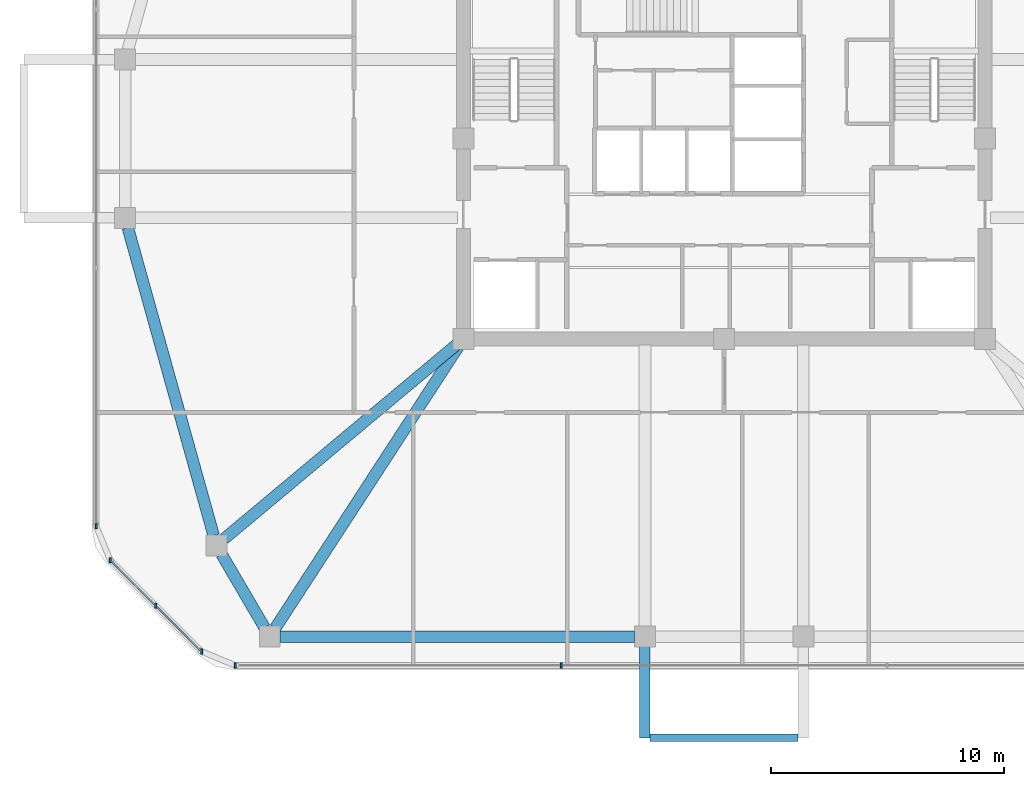
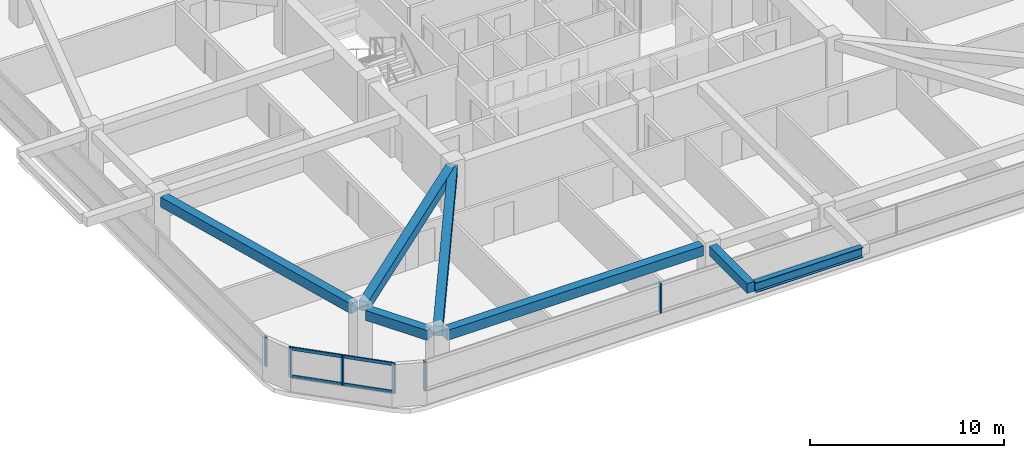
# One storey, part 2 of 14: 8 members, 7 beams, 3 elements without a shape of their own.
"""IFC4 building model written with IfcOpenShell, lengths in metres."""

from ifc_helpers import new_model, si_unit, derived_unit, direction, frame, origin, origin_2d, place, context, subcontext, project, spatial, rectangle, i_section, extrude, material, material_profile, profile_set, type_object, element, aggregate, save


model = new_model("IFC4")

# Units and contexts
model_context = context("Model", 3, precision=1e-05, world=origin(), true_north=direction((0.0, 1.0)))
body_context = subcontext(model_context, "Body", "Model", "MODEL_VIEW")
ifc_project = project(units=[si_unit("LENGTHUNIT", "METRE"), si_unit("AREAUNIT", "SQUARE_METRE"), si_unit("VOLUMEUNIT", "CUBIC_METRE"), si_unit("PLANEANGLEUNIT", "RADIAN"), si_unit("MASSUNIT", "GRAM", prefix="KILO"), derived_unit("THERMALTRANSMITTANCEUNIT", [(si_unit("POWERUNIT", "WATT"), 1), (si_unit("LENGTHUNIT", "METRE"), -2), (si_unit("THERMODYNAMICTEMPERATUREUNIT", "KELVIN"), -1)])], contexts=[model_context])

# Site, building, storey
site_placement = place(None, origin())
site = spatial("IfcSite", under=ifc_project, at=site_placement, CompositionType="ELEMENT")
building_placement = place(site_placement, origin())
building = spatial("IfcBuilding", under=site, at=building_placement, Name="Koralith Skygarden Medical Center", CompositionType="ELEMENT")
storey_placement = place(building_placement, frame((0.0, 0.0, 225.179931640625)))
storey = spatial("IfcBuildingStorey", under=building, at=storey_placement, Name="L58", CompositionType="ELEMENT", Elevation=225.179931640625)

# Curtain wall, members
ifc_material_1 = material(Name="Clear Laminated Glass", Category="glass")
curtain_wall_type = type_object("IfcCurtainWallType", Name="CW-5 Zone 4 Flare Biophilic Curtain Wall", PredefinedType="NOTDEFINED", material=ifc_material_1)
curtain_wall_1_placement = place(storey_placement, origin())
curtain_wall_1 = element("IfcCurtainWall", 1, at=curtain_wall_1_placement, inside=storey, type_object=curtain_wall_type, Name="Curtain Wall CW-L58-S", PredefinedType="NOTDEFINED")
ifc_material_2 = material(Name="Aluminium 6063-T6", Category="aluminium")
ifc_material_profile_1 = material_profile(ifc_material_2, rectangle(XDim=0.080078125, YDim=0.219970703125, at=origin_2d()), Name="MUL80X220")
ifc_profile_set_1 = profile_set([ifc_material_profile_1], Name="Aluminium 6063-T6")
member_type_1 = type_object("IfcMemberType", Name="CW-5 Extruded Mullion 80x220", PredefinedType="MULLION", material=ifc_profile_set_1)
member_1_placement = place(storey_placement, frame((16.012939453125, 3.280029296875, 0.85009765625), z_axis=(0.0, 0.0, 1.0), x_axis=(1.0, 0.0, 0.0)))
member_1 = element("IfcMember", 2, at=member_1_placement, type_object=member_type_1, Name="CW-L58-S Mullion 1", PredefinedType="MULLION", context=body_context, shape_type="SweptSolid", body=[
    extrude(rectangle(XDim=0.080078125, YDim=0.219970703125, at=origin_2d()), origin(), (0.0, 0.0, 1.0), 1.840087890625),
])
member_2_placement = place(storey_placement, frame((30.00390625, 3.280029296875, 0.85009765625), z_axis=(0.0, 0.0, 1.0), x_axis=(1.0, 0.0, 0.0)))
member_2 = element("IfcMember", 3, at=member_2_placement, type_object=member_type_1, Name="CW-L58-S Mullion 2", PredefinedType="MULLION", context=body_context, shape_type="SweptSolid", body=[
    extrude(rectangle(XDim=0.080078125, YDim=0.219970703125, at=origin_2d()), origin(), (0.0, 0.0, 1.0), 1.840087890625),
])
aggregate(curtain_wall_1, [member_1, member_2])

# Curtain wall, member
curtain_wall_2_placement = place(storey_placement, origin())
curtain_wall_2 = element("IfcCurtainWall", 4, at=curtain_wall_2_placement, inside=storey, type_object=curtain_wall_type, Name="Curtain Wall CW-L58-W", PredefinedType="NOTDEFINED")
member_3_placement = place(storey_placement, frame((10.0380859375, 9.2548828125, 0.85009765625), z_axis=(0.0, 0.0, 1.0), x_axis=(1.0, 0.0, 0.0)))
member_3 = element("IfcMember", 5, at=member_3_placement, type_object=member_type_1, Name="CW-L58-W Mullion 4", PredefinedType="MULLION", context=body_context, shape_type="SweptSolid", body=[
    extrude(rectangle(XDim=0.080078125, YDim=0.219970703125, at=origin_2d()), origin(), (0.0, 0.0, 1.0), 1.840087890625),
])
aggregate(curtain_wall_2, [member_3])

# Curtain wall, members
curtain_wall_3_placement = place(storey_placement, origin())
curtain_wall_3 = element("IfcCurtainWall", 6, at=curtain_wall_3_placement, inside=storey, type_object=curtain_wall_type, Name="Curtain Wall CW-L58-SW", PredefinedType="NOTDEFINED")
member_4_placement = place(storey_placement, frame((10.638916015625, 7.803955078125, 0.85009765625), z_axis=(0.0, 0.0, 1.0), x_axis=(1.0, 0.0, 0.0)))
member_4 = element("IfcMember", 7, at=member_4_placement, type_object=member_type_1, Name="CW-L58-SW Mullion 1", PredefinedType="MULLION", context=body_context, shape_type="SweptSolid", body=[
    extrude(rectangle(XDim=0.080078125, YDim=0.219970703125, at=origin_2d()), origin(), (0.0, 0.0, 1.0), 1.840087890625),
])
member_5_placement = place(storey_placement, frame((12.60107421875, 5.843017578125, 0.85009765625), z_axis=(0.0, 0.0, 1.0), x_axis=(1.0, 0.0, 0.0)))
member_5 = element("IfcMember", 8, at=member_5_placement, type_object=member_type_1, Name="CW-L58-SW Mullion 2", PredefinedType="MULLION", context=body_context, shape_type="SweptSolid", body=[
    extrude(rectangle(XDim=0.080078125, YDim=0.219970703125, at=origin_2d()), origin(), (0.0, 0.0, 1.0), 1.840087890625),
])
member_6_placement = place(storey_placement, frame((14.56201171875, 3.881103515625, 0.85009765625), z_axis=(0.0, 0.0, 1.0), x_axis=(1.0, 0.0, 0.0)))
member_6 = element("IfcMember", 9, at=member_6_placement, type_object=member_type_1, Name="CW-L58-SW Mullion 3", PredefinedType="MULLION", context=body_context, shape_type="SweptSolid", body=[
    extrude(rectangle(XDim=0.080078125, YDim=0.219970703125, at=origin_2d()), origin(), (0.0, 0.0, 1.0), 1.840087890625),
])
ifc_material_profile_2 = material_profile(ifc_material_2, rectangle(XDim=0.074951171875, YDim=0.197998046875, at=origin_2d()), Name="TRN75X198")
ifc_profile_set_2 = profile_set([ifc_material_profile_2], Name="Aluminium 6063-T6")
member_type_2 = type_object("IfcMemberType", Name="CW-5 Thermal Transom 75x198", PredefinedType="USERDEFINED", material=ifc_profile_set_2)
member_7_placement = place(storey_placement, frame((10.638916015625, 7.803955078125, 0.900146484375), z_axis=(0.707128783731, -0.707084777957, 0.0), x_axis=(0.707084777957, 0.707128783731, 0.0)))
member_7 = element("IfcMember", 10, at=member_7_placement, type_object=member_type_2, Name="CW-L58-SW Transom 1", ObjectType="TRANSOM", PredefinedType="USERDEFINED", context=body_context, shape_type="SweptSolid", body=[
    extrude(rectangle(XDim=0.074951171875, YDim=0.197998046875, at=origin_2d()), origin(), (0.0, 0.0, 1.0), 5.5478515625),
])
member_8_placement = place(storey_placement, frame((10.638916015625, 7.803955078125, 2.64013671875), z_axis=(0.707128783731, -0.707084777957, 0.0), x_axis=(0.707084777957, 0.707128783731, 0.0)))
member_8 = element("IfcMember", 11, at=member_8_placement, type_object=member_type_2, Name="CW-L58-SW Transom 2", ObjectType="TRANSOM", PredefinedType="USERDEFINED", context=body_context, shape_type="SweptSolid", body=[
    extrude(rectangle(XDim=0.074951171875, YDim=0.197998046875, at=origin_2d()), origin(), (0.0, 0.0, 1.0), 5.5478515625),
])
aggregate(curtain_wall_3, [member_4, member_5, member_6, member_7, member_8])

# Beams
ifc_material_3 = material(Name="Steel ASTM A992 Grade 50", Category="steel")
ifc_material_profile_3 = material_profile(ifc_material_3, i_section(OverallWidth=0.326904296875, OverallDepth=0.6220703125, WebThickness=0.015380859375, FlangeThickness=0.0244140625, at=origin_2d()), Name="W24X131")
ifc_profile_set_3 = profile_set([ifc_material_profile_3], Name="Steel ASTM A992 Grade 50")
beam_type_1 = type_object("IfcBeamType", Name="Cantilever Tie Beam W24X131", PredefinedType="BEAM", material=ifc_profile_set_3)
beam_1_placement = place(storey_placement, frame((33.820068359375, 0.169921875, 3.029052734375), z_axis=(1.0, 0.0, 0.0), x_axis=(0.0, 1.0, 0.0)))
element("IfcBeam", 12, at=beam_1_placement, inside=storey, type_object=beam_type_1, Name="L59 S Balcony Tip Tie Beam", PredefinedType="BEAM", context=body_context, shape_type="SweptSolid", body=[
    extrude(i_section(OverallWidth=0.326904296875, OverallDepth=0.6220703125, WebThickness=0.015380859375, FlangeThickness=0.0244140625, at=origin_2d()), origin(), (0.0, 0.0, 1.0), 6.35986328125),
])
ifc_material_4 = material(Name="Concrete C45/55", Category="concrete")
ifc_material_profile_4 = material_profile(ifc_material_4, rectangle(XDim=0.449951171875, YDim=0.60009765625, at=origin_2d()), Name="RCB450X600")
ifc_profile_set_4 = profile_set([ifc_material_profile_4], Name="Concrete C45/55")
beam_type_2 = type_object("IfcBeamType", Name="Planted Balcony Cantilever Beam RCB450X600", PredefinedType="BEAM", material=ifc_profile_set_4)
beam_2_placement = place(storey_placement, frame((33.60009765625, 4.090087890625, 3.0400390625), z_axis=(0.0, -1.0, 0.0), x_axis=(1.0, 0.0, 0.0)))
element("IfcBeam", 13, at=beam_2_placement, inside=storey, type_object=beam_type_2, Name="L59 S Balcony Cantilever Beam A", PredefinedType="BEAM", context=body_context, shape_type="SweptSolid", body=[
    extrude(rectangle(XDim=0.449951171875, YDim=0.60009765625, at=origin_2d()), origin(), (0.0, 0.0, 1.0), 3.920166015625),
])
ifc_material_profile_5 = material_profile(ifc_material_4, rectangle(XDim=0.5, YDim=0.6201171875, at=origin_2d()), Name="RCB500X620")
ifc_profile_set_5 = profile_set([ifc_material_profile_5], Name="Concrete C45/55")
beam_type_3 = type_object("IfcBeamType", Name="Upper Radial Collector Beam RCB500X620", PredefinedType="BEAM", material=ifc_profile_set_5)
beam_3_placement = place(storey_placement, frame((25.60791015625, 17.139892578125, 3.010009765625), z_axis=(-0.767298159165, -0.64129052304, 0.0), x_axis=(0.64129052304, -0.767298159165, 0.0)))
element("IfcBeam", 14, at=beam_3_placement, inside=storey, type_object=beam_type_3, Name="L58 Radial Collector Beam RB-02", PredefinedType="BEAM", context=body_context, shape_type="SweptSolid", body=[
    extrude(rectangle(XDim=0.5, YDim=0.6201171875, at=origin_2d()), origin(), (0.0, 0.0, 1.0), 13.126708984375),
])
beam_4_placement = place(storey_placement, frame((25.6640625, 17.090087890625, 3.010009765625), z_axis=(-0.5451487187, -0.838339355214, 0.0), x_axis=(0.838339355214, -0.5451487187, 0.0)))
element("IfcBeam", 15, at=beam_4_placement, inside=storey, type_object=beam_type_3, Name="L58 Radial Collector Beam RB-03", PredefinedType="BEAM", context=body_context, shape_type="SweptSolid", body=[
    extrude(rectangle(XDim=0.5, YDim=0.6201171875, at=origin_2d()), origin(), (0.0, 0.0, 1.0), 14.553955078125),
])
ifc_material_profile_6 = material_profile(ifc_material_4, rectangle(XDim=0.5, YDim=0.6201171875, at=origin_2d()), Name="RCB500X620")
ifc_profile_set_6 = profile_set([ifc_material_profile_6], Name="Concrete C45/55")
beam_type_4 = type_object("IfcBeamType", Name="Zone 4-5 Spandrel Beam RCB500X620", PredefinedType="SPANDREL", material=ifc_profile_set_6)
beam_5_placement = place(storey_placement, frame((11.39599609375, 22.075927734375, 3.010009765625), z_axis=(0.26859849356, -0.96325222515, 0.0), x_axis=(0.96325222515, 0.26859849356, 0.0)))
element("IfcBeam", 16, at=beam_5_placement, inside=storey, type_object=beam_type_4, Name="L58 Perimeter Spandrel Beam SP-01", PredefinedType="SPANDREL", context=body_context, shape_type="SweptSolid", body=[
    extrude(rectangle(XDim=0.5, YDim=0.6201171875, at=origin_2d()), origin(), (0.0, 0.0, 1.0), 13.716064453125),
])
beam_6_placement = place(storey_placement, frame((15.419921875, 8.06005859375, 3.010009765625), z_axis=(0.504832687441, -0.863217213505, 0.0), x_axis=(0.863217213505, 0.504832687441, 0.0)))
element("IfcBeam", 17, at=beam_6_placement, inside=storey, type_object=beam_type_4, Name="L58 Perimeter Spandrel Beam SP-02", PredefinedType="SPANDREL", context=body_context, shape_type="SweptSolid", body=[
    extrude(rectangle(XDim=0.5, YDim=0.6201171875, at=origin_2d()), origin(), (0.0, 0.0, 1.0), 3.660888671875),
])
beam_7_placement = place(storey_placement, frame((17.929931640625, 4.52001953125, 3.010009765625), z_axis=(1.0, 0.0, 0.0), x_axis=(0.0, 1.0, 0.0)))
element("IfcBeam", 18, at=beam_7_placement, inside=storey, type_object=beam_type_4, Name="L58 Perimeter Spandrel Beam SP-03", PredefinedType="SPANDREL", context=body_context, shape_type="SweptSolid", body=[
    extrude(rectangle(XDim=0.5, YDim=0.6201171875, at=origin_2d()), origin(), (0.0, 0.0, 1.0), 15.22998046875),
])

save(model, "model.ifc")
